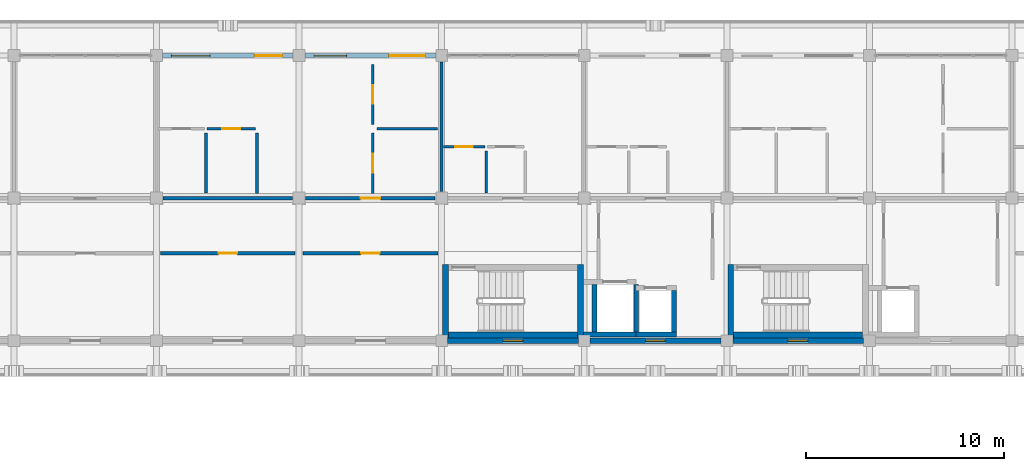
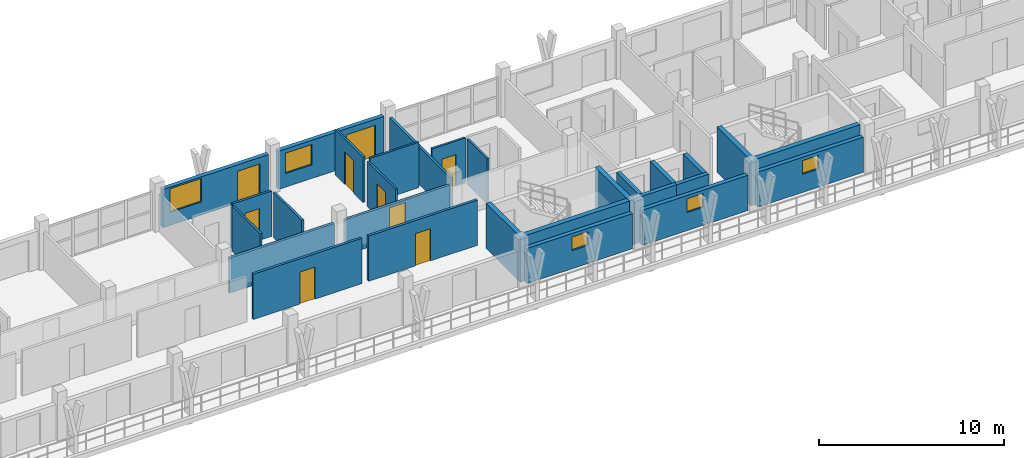
# One storey, part 39 of 67: 28 walls, 9 doors, 5 windows, 14 openings.
"""IFC4 building model written with IfcOpenShell, lengths in metres."""

from ifc_helpers import new_model, si_unit, direction, frame, frame_2d, origin, place, context, subcontext, project, spatial, rectangle, extrude, material, layer, layer_set, type_object, element, fill, save


model = new_model("IFC4")

# Units and contexts
model_context = context("Model", 3, precision=1e-05, world=origin(), true_north=direction((0.0, 1.0)))
body_context = subcontext(model_context, "Body", "Model", "MODEL_VIEW")
ifc_project = project(units=[si_unit("LENGTHUNIT", "METRE"), si_unit("AREAUNIT", "SQUARE_METRE"), si_unit("VOLUMEUNIT", "CUBIC_METRE"), si_unit("PLANEANGLEUNIT", "RADIAN"), si_unit("MASSUNIT", "GRAM", prefix="KILO")], contexts=[model_context])

# Site, building, storey
site_placement = place(None, origin())
site = spatial("IfcSite", under=ifc_project, at=site_placement, CompositionType="ELEMENT")
building_placement = place(site_placement, origin())
building = spatial("IfcBuilding", under=site, at=building_placement, Name="Suanplinth Sawtooth Commons", CompositionType="ELEMENT")
storey_placement = place(building_placement, frame((0.0, 0.0, 25.10009765625)))
storey = spatial("IfcBuildingStorey", under=building, at=storey_placement, Name="L07", CompositionType="ELEMENT", Elevation=25.10009765625)

# Walls
ifc_material_1 = material(Name="Concrete C40/50", Category="concrete")
ifc_layer_1 = layer(ifc_material_1, 0.300048828125, Name="Standard RC stair and lift core wall 300mm")
ifc_layer_set_1 = layer_set([ifc_layer_1], Name="Concrete C40/50")
wall_type_1 = type_object("IfcWallType", Name="W-CR02", PredefinedType="SHEAR", material=ifc_layer_set_1)
wall_1_placement = place(storey_placement, frame((43.550048828125, 108.300048828125, 0.0), z_axis=(0.0, 0.0, 1.0), x_axis=(1.0, 0.0, 0.0)))
element("IfcWall", 1, at=wall_1_placement, inside=storey, type_object=wall_type_1, Name="W-L07-C-A1-STS", PredefinedType="SHEAR", context=body_context, shape_type="SweptSolid", body=[
    extrude(rectangle(XDim=6.5, YDim=0.300048828125, at=frame_2d((3.25, 0.0))), origin(), (0.0, 0.0, 1.0), 2.989990234375),
])
for number, where, z_axis, x_axis, name in (
    (2, (43.39990234375, 108.14990234375, 0.0), (0.0, 0.0, 1.0), (0.0, 1.0, 0.0), "W-L07-C-A1-STW"),
    (3, (50.199951171875, 108.14990234375, 0.0), (0.0, 0.0, 1.0), (0.0, 1.0, 0.0), "W-L07-C-A1-STE"),
):
    element("IfcWall", number, at=place(storey_placement, frame(where, z_axis=z_axis, x_axis=x_axis)), inside=storey, type_object=wall_type_1, Name=name, PredefinedType="SHEAR", context=body_context, shape_type="SweptSolid", body=[
        extrude(rectangle(XDim=3.7001953125, YDim=0.300048828125, at=frame_2d((1.85009765625, 0.0))), origin(), (0.0, 0.0, 1.0), 2.989990234375),
    ])
wall_2_placement = place(storey_placement, frame((57.949951171875, 108.300048828125, 0.0), z_axis=(0.0, 0.0, 1.0), x_axis=(1.0, 0.0, 0.0)))
element("IfcWall", 4, at=wall_2_placement, inside=storey, type_object=wall_type_1, Name="W-L07-C-A2-STS", PredefinedType="SHEAR", context=body_context, shape_type="SweptSolid", body=[
    extrude(rectangle(XDim=6.5, YDim=0.300048828125, at=frame_2d((3.25, 0.0))), origin(), (0.0, 0.0, 1.0), 2.989990234375),
])
wall_3_placement = place(storey_placement, frame((57.800048828125, 108.14990234375, 0.0), z_axis=(0.0, 0.0, 1.0), x_axis=(0.0, 1.0, 0.0)))
element("IfcWall", 5, at=wall_3_placement, inside=storey, type_object=wall_type_1, Name="W-L07-C-A2-STW", PredefinedType="SHEAR", context=body_context, shape_type="SweptSolid", body=[
    extrude(rectangle(XDim=3.7001953125, YDim=0.300048828125, at=frame_2d((1.85009765625, 0.0))), origin(), (0.0, 0.0, 1.0), 2.989990234375),
])

# Wall, openings, door, window
ifc_material_2 = material(Name="Precast concrete C40/50", Category="concrete")
ifc_layer_2 = layer(ifc_material_2, 0.260009765625, Name="Insulated precast courtyard facade wall 260mm")
ifc_layer_set_2 = layer_set([ifc_layer_2], Name="Precast concrete C40/50")
wall_type_2 = type_object("IfcWallType", Name="W-EX02", PredefinedType="ELEMENTEDWALL", material=ifc_layer_set_2)
wall_4_placement = place(storey_placement, frame((29.10009765625, 122.39990234375, 0.0), z_axis=(0.0, 0.0, 1.0), x_axis=(1.0, 0.0, 0.0)))
wall_4 = element("IfcWall", 6, at=wall_4_placement, inside=storey, type_object=wall_type_2, Name="Facade Wall W-L07-A-N-3", PredefinedType="ELEMENTEDWALL", context=body_context, shape_type="SweptSolid", body=[
    extrude(rectangle(XDim=6.599853515625, YDim=0.260009765625, at=frame_2d((3.2998046875, 0.0))), origin(), (0.0, 0.0, 1.0), 2.52490234375),
])
opening_1_placement = place(wall_4_placement, frame((4.64990234375, 0.0, 0.0)))
opening_1 = element("IfcOpeningElement", 7, at=opening_1_placement, cuts=wall_4, Name="Opening ED0556", PredefinedType="OPENING", context=body_context, shape_type="SweptSolid", body=[
    extrude(rectangle(XDim=1.39990234375, YDim=2.10009765625, at=frame_2d((0.699951171875, 1.050048828125))), frame((0.0, 0.14501953125, 0.0), z_axis=(0.0, -1.0, 0.0), x_axis=(1.0, 0.0, 0.0)), (0.0, 0.0, 1.0), 0.289794921875),
])
opening_2_placement = place(wall_4_placement, frame((0.449951171875, 0.0, 0.864990234375)))
opening_2 = element("IfcOpeningElement", 8, at=opening_2_placement, cuts=wall_4, Name="Opening W0639", PredefinedType="OPENING", context=body_context, shape_type="SweptSolid", body=[
    extrude(rectangle(XDim=1.949951171875, YDim=1.550048828125, at=frame_2d((0.97509765625, 0.77490234375))), frame((0.0, 0.14501953125, 0.0), z_axis=(0.0, -1.0, 0.0), x_axis=(1.0, 0.0, 0.0)), (0.0, 0.0, 1.0), 0.289794921875),
])
ifc_material_3 = material(Name="Anodized aluminium and low-E glass", Category="aluminium")
door_type_1 = type_object("IfcDoorType", Name="SD-07", OperationType="SLIDING_TO_RIGHT", PredefinedType="DOOR", material=ifc_material_3)
door_1_placement = place(opening_1_placement, frame((1.39990234375, 0.0, 0.0), z_axis=(0.0, 0.0, 1.0), x_axis=(-1.0, 0.0, 0.0)))
door_1 = element("IfcDoor", 9, at=door_1_placement, inside=storey, type_object=door_type_1, Name="Balcony Sliding Door L07-A-N-3", OperationType="SLIDING_TO_RIGHT", OverallHeight=2.10009765625, OverallWidth=1.39990234375, PredefinedType="DOOR", context=body_context, shape_type="SweptSolid", body=[
    extrude(rectangle(XDim=1.39990234375, YDim=2.10009765625, at=frame_2d((0.699951171875, 1.050048828125))), frame((0.0, 0.02490234375, 0.0), z_axis=(0.0, -1.0, 0.0), x_axis=(1.0, 0.0, 0.0)), (0.0, 0.0, 1.0), 0.050048828125),
])
fill(opening_1, door_1)
ifc_material_4 = material(Name="Thermally broken aluminium and low-E double glazing", Category="aluminium")
window_type_1 = type_object("IfcWindowType", Name="WN-18", PartitioningType="DOUBLE_PANEL_VERTICAL", PredefinedType="WINDOW", material=ifc_material_4)
window_1_placement = place(opening_2_placement, origin())
window_1 = element("IfcWindow", 10, at=window_1_placement, inside=storey, type_object=window_type_1, Name="Window L07-A-N-3", OverallHeight=1.550048828125, OverallWidth=1.949951171875, PartitioningType="DOUBLE_PANEL_VERTICAL", PredefinedType="WINDOW", context=body_context, shape_type="SweptSolid", body=[
    extrude(rectangle(XDim=1.949951171875, YDim=1.550048828125, at=frame_2d((0.97509765625, 0.77490234375))), frame((0.0, 0.030029296875, 0.0), z_axis=(0.0, -1.0, 0.0), x_axis=(1.0, 0.0, 0.0)), (0.0, 0.0, 1.0), 0.06005859375),
])
fill(opening_2, window_1)

wall_5_placement = place(storey_placement, frame((36.300048828125, 122.39990234375, 0.0), z_axis=(0.0, 0.0, 1.0), x_axis=(1.0, 0.0, 0.0)))
wall_5 = element("IfcWall", 11, at=wall_5_placement, inside=storey, type_object=wall_type_2, Name="Facade Wall W-L07-A-N-4", PredefinedType="ELEMENTEDWALL", context=body_context, shape_type="SweptSolid", body=[
    extrude(rectangle(XDim=6.599853515625, YDim=0.260009765625, at=frame_2d((3.2998046875, 0.0))), origin(), (0.0, 0.0, 1.0), 2.52490234375),
])
opening_3_placement = place(wall_5_placement, frame((4.25, 0.0, 0.0)))
opening_3 = element("IfcOpeningElement", 12, at=opening_3_placement, cuts=wall_5, Name="Opening ED0558", PredefinedType="OPENING", context=body_context, shape_type="SweptSolid", body=[
    extrude(rectangle(XDim=1.800048828125, YDim=2.1201171875, at=frame_2d((0.89990234375, 1.06005859375))), frame((0.0, 0.14501953125, 0.0), z_axis=(0.0, -1.0, 0.0), x_axis=(1.0, 0.0, 0.0)), (0.0, 0.0, 1.0), 0.289794921875),
])
opening_4_placement = place(wall_5_placement, frame((0.449951171875, 0.0, 0.89990234375)))
opening_4 = element("IfcOpeningElement", 13, at=opening_4_placement, cuts=wall_5, Name="Opening W0640", PredefinedType="OPENING", context=body_context, shape_type="SweptSolid", body=[
    extrude(rectangle(XDim=1.64990234375, YDim=1.35009765625, at=frame_2d((0.824951171875, 0.675048828125))), frame((0.0, 0.14501953125, 0.0), z_axis=(0.0, -1.0, 0.0), x_axis=(1.0, 0.0, 0.0)), (0.0, 0.0, 1.0), 0.289794921875),
])
door_type_2 = type_object("IfcDoorType", Name="SD-01", OperationType="SLIDING_TO_LEFT", PredefinedType="DOOR", material=ifc_material_3)
door_2_placement = place(opening_3_placement, frame((1.800048828125, 0.0, 0.0), z_axis=(0.0, 0.0, 1.0), x_axis=(-1.0, 0.0, 0.0)))
door_2 = element("IfcDoor", 14, at=door_2_placement, inside=storey, type_object=door_type_2, Name="Balcony Sliding Door L07-A-N-4", OperationType="SLIDING_TO_LEFT", OverallHeight=2.1201171875, OverallWidth=1.800048828125, PredefinedType="DOOR", context=body_context, shape_type="SweptSolid", body=[
    extrude(rectangle(XDim=1.800048828125, YDim=2.1201171875, at=frame_2d((0.89990234375, 1.06005859375))), frame((0.0, 0.02490234375, 0.0), z_axis=(0.0, -1.0, 0.0), x_axis=(1.0, 0.0, 0.0)), (0.0, 0.0, 1.0), 0.050048828125),
])
fill(opening_3, door_2)
window_type_2 = type_object("IfcWindowType", Name="WN-19", PartitioningType="DOUBLE_PANEL_VERTICAL", PredefinedType="WINDOW", material=ifc_material_4)
window_2_placement = place(opening_4_placement, origin())
window_2 = element("IfcWindow", 15, at=window_2_placement, inside=storey, type_object=window_type_2, Name="Window L07-A-N-4", OverallHeight=1.35009765625, OverallWidth=1.64990234375, PartitioningType="DOUBLE_PANEL_VERTICAL", PredefinedType="WINDOW", context=body_context, shape_type="SweptSolid", body=[
    extrude(rectangle(XDim=1.64990234375, YDim=1.35009765625, at=frame_2d((0.824951171875, 0.675048828125))), frame((0.0, 0.030029296875, 0.0), z_axis=(0.0, -1.0, 0.0), x_axis=(1.0, 0.0, 0.0)), (0.0, 0.0, 1.0), 0.06005859375),
])
fill(opening_4, window_2)

# Wall, opening, window
wall_6_placement = place(storey_placement, frame((43.5, 108.0, 0.0), z_axis=(0.0, 0.0, 1.0), x_axis=(1.0, 0.0, 0.0)))
wall_6 = element("IfcWall", 16, at=wall_6_placement, inside=storey, type_object=wall_type_2, Name="Courtyard Wall W-L07-A-S-5", PredefinedType="ELEMENTEDWALL", context=body_context, shape_type="SweptSolid", body=[
    extrude(rectangle(XDim=6.60009765625, YDim=0.260009765625, at=frame_2d((3.300048828125, 0.0))), origin(), (0.0, 0.0, 1.0), 2.324951171875),
])
opening_5_placement = place(wall_6_placement, frame((2.800048828125, 0.0, 1.199951171875)))
opening_5 = element("IfcOpeningElement", 17, at=opening_5_placement, cuts=wall_6, Name="Opening W0641", PredefinedType="OPENING", context=body_context, shape_type="SweptSolid", body=[
    extrude(rectangle(XDim=1.0, YDim=0.89990234375, at=frame_2d((0.5, 0.449951171875))), frame((0.0, 0.14501953125, 0.0), z_axis=(0.0, -1.0, 0.0), x_axis=(1.0, 0.0, 0.0)), (0.0, 0.0, 1.0), 0.289794921875),
])
window_type_3 = type_object("IfcWindowType", Name="WN-12", PartitioningType="SINGLE_PANEL", PredefinedType="WINDOW", material=ifc_material_4)
window_3_placement = place(opening_5_placement, origin())
window_3 = element("IfcWindow", 18, at=window_3_placement, inside=storey, type_object=window_type_3, Name="Core Daylight Window L07-A-5", OverallHeight=0.89990234375, OverallWidth=1.0, PartitioningType="SINGLE_PANEL", PredefinedType="WINDOW", context=body_context, shape_type="SweptSolid", body=[
    extrude(rectangle(XDim=1.0, YDim=0.89990234375, at=frame_2d((0.5, 0.449951171875))), frame((0.0, 0.030029296875, 0.0), z_axis=(0.0, -1.0, 0.0), x_axis=(1.0, 0.0, 0.0)), (0.0, 0.0, 1.0), 0.06005859375),
])
fill(opening_5, window_3)

wall_7_placement = place(storey_placement, frame((50.699951171875, 108.0, 0.0), z_axis=(0.0, 0.0, 1.0), x_axis=(1.0, 0.0, 0.0)))
wall_7 = element("IfcWall", 19, at=wall_7_placement, inside=storey, type_object=wall_type_2, Name="Courtyard Wall W-L07-A-S-6", PredefinedType="ELEMENTEDWALL", context=body_context, shape_type="SweptSolid", body=[
    extrude(rectangle(XDim=6.60009765625, YDim=0.260009765625, at=frame_2d((3.300048828125, 0.0))), origin(), (0.0, 0.0, 1.0), 2.324951171875),
])
opening_6_placement = place(wall_7_placement, frame((2.800048828125, 0.0, 1.199951171875)))
opening_6 = element("IfcOpeningElement", 20, at=opening_6_placement, cuts=wall_7, Name="Opening W0643", PredefinedType="OPENING", context=body_context, shape_type="SweptSolid", body=[
    extrude(rectangle(XDim=1.0, YDim=0.89990234375, at=frame_2d((0.5, 0.449951171875))), frame((0.0, 0.14501953125, 0.0), z_axis=(0.0, -1.0, 0.0), x_axis=(1.0, 0.0, 0.0)), (0.0, 0.0, 1.0), 0.289794921875),
])
window_4_placement = place(opening_6_placement, origin())
window_4 = element("IfcWindow", 21, at=window_4_placement, inside=storey, type_object=window_type_3, Name="Core Daylight Window L07-A-6", OverallHeight=0.89990234375, OverallWidth=1.0, PartitioningType="SINGLE_PANEL", PredefinedType="WINDOW", context=body_context, shape_type="SweptSolid", body=[
    extrude(rectangle(XDim=1.0, YDim=0.89990234375, at=frame_2d((0.5, 0.449951171875))), frame((0.0, 0.030029296875, 0.0), z_axis=(0.0, -1.0, 0.0), x_axis=(1.0, 0.0, 0.0)), (0.0, 0.0, 1.0), 0.06005859375),
])
fill(opening_6, window_4)

wall_8_placement = place(storey_placement, frame((57.89990234375, 108.0, 0.0), z_axis=(0.0, 0.0, 1.0), x_axis=(1.0, 0.0, 0.0)))
wall_8 = element("IfcWall", 22, at=wall_8_placement, inside=storey, type_object=wall_type_2, Name="Courtyard Wall W-L07-A-S-7", PredefinedType="ELEMENTEDWALL", context=body_context, shape_type="SweptSolid", body=[
    extrude(rectangle(XDim=6.60009765625, YDim=0.260009765625, at=frame_2d((3.300048828125, 0.0))), origin(), (0.0, 0.0, 1.0), 2.324951171875),
])
opening_7_placement = place(wall_8_placement, frame((2.800048828125, 0.0, 1.199951171875)))
opening_7 = element("IfcOpeningElement", 23, at=opening_7_placement, cuts=wall_8, Name="Opening W0645", PredefinedType="OPENING", context=body_context, shape_type="SweptSolid", body=[
    extrude(rectangle(XDim=1.0, YDim=0.89990234375, at=frame_2d((0.5, 0.449951171875))), frame((0.0, 0.14501953125, 0.0), z_axis=(0.0, -1.0, 0.0), x_axis=(1.0, 0.0, 0.0)), (0.0, 0.0, 1.0), 0.289794921875),
])
window_5_placement = place(opening_7_placement, origin())
window_5 = element("IfcWindow", 24, at=window_5_placement, inside=storey, type_object=window_type_3, Name="Core Daylight Window L07-A-7", OverallHeight=0.89990234375, OverallWidth=1.0, PartitioningType="SINGLE_PANEL", PredefinedType="WINDOW", context=body_context, shape_type="SweptSolid", body=[
    extrude(rectangle(XDim=1.0, YDim=0.89990234375, at=frame_2d((0.5, 0.449951171875))), frame((0.0, 0.030029296875, 0.0), z_axis=(0.0, -1.0, 0.0), x_axis=(1.0, 0.0, 0.0)), (0.0, 0.0, 1.0), 0.06005859375),
])
fill(opening_7, window_5)

# Wall
ifc_layer_3 = layer(ifc_material_2, 0.159912109375, Name="Fire-rated corridor and lobby wall 160mm")
ifc_layer_set_3 = layer_set([ifc_layer_3], Name="Precast concrete C40/50")
wall_type_3 = type_object("IfcWallType", Name="W-FW01", PredefinedType="PARTITIONING", material=ifc_layer_set_3)
wall_9_placement = place(storey_placement, frame((29.1298828125, 115.199951171875, 0.0), z_axis=(0.0, 0.0, 1.0), x_axis=(1.0, 0.0, 0.0)))
element("IfcWall", 25, at=wall_9_placement, inside=storey, type_object=wall_type_3, Name="W-A-L07-U03-COR-S1", PredefinedType="PARTITIONING", context=body_context, shape_type="SweptSolid", body=[
    extrude(rectangle(XDim=6.5400390625, YDim=0.159912109375, at=frame_2d((3.27001953125, 0.0))), origin(), (0.0, 0.0, 1.0), 2.324951171875),
])

# Wall, opening, door
wall_10_placement = place(storey_placement, frame((36.330078125, 115.199951171875, 0.0), z_axis=(0.0, 0.0, 1.0), x_axis=(1.0, 0.0, 0.0)))
wall_10 = element("IfcWall", 26, at=wall_10_placement, inside=storey, type_object=wall_type_3, Name="W-A-L07-U03-COR-S2", PredefinedType="PARTITIONING", context=body_context, shape_type="SweptSolid", body=[
    extrude(rectangle(XDim=6.5400390625, YDim=0.159912109375, at=frame_2d((3.27001953125, 0.0))), origin(), (0.0, 0.0, 1.0), 2.324951171875),
])
opening_8_placement = place(wall_10_placement, frame((2.77001953125, 0.0, 0.0)))
opening_8 = element("IfcOpeningElement", 27, at=opening_8_placement, cuts=wall_10, Name="Opening FD1505", PredefinedType="OPENING", context=body_context, shape_type="SweptSolid", body=[
    extrude(rectangle(XDim=1.0, YDim=2.14990234375, at=frame_2d((0.5, 1.074951171875))), frame((0.0, 0.0947265625, 0.0), z_axis=(0.0, -1.0, 0.0), x_axis=(1.0, 0.0, 0.0)), (0.0, 0.0, 1.0), 0.189697265625),
])
ifc_material_5 = material(Name="Teak hardwood fire-rated door assembly", Category="wood")
door_type_3 = type_object("IfcDoorType", Name="FD-03", OperationType="NOTDEFINED", PredefinedType="DOOR", material=ifc_material_5)
door_3_placement = place(opening_8_placement, origin())
door_3 = element("IfcDoor", 28, at=door_3_placement, inside=storey, type_object=door_type_3, Name="Unit Entrance Door FD1505", OperationType="SINGLE_SWING_LEFT", OverallHeight=2.14990234375, OverallWidth=1.0, PredefinedType="DOOR", context=body_context, shape_type="SweptSolid", body=[
    extrude(rectangle(XDim=1.0, YDim=2.14990234375, at=frame_2d((0.5, 1.074951171875))), frame((0.0, 0.02490234375, 0.0), z_axis=(0.0, -1.0, 0.0), x_axis=(1.0, 0.0, 0.0)), (0.0, 0.0, 1.0), 0.050048828125),
])
fill(opening_8, door_3)

wall_11_placement = place(storey_placement, frame((29.0, 112.419921875, 0.0), z_axis=(0.0, 0.0, 1.0), x_axis=(1.0, 0.0, 0.0)))
wall_11 = element("IfcWall", 29, at=wall_11_placement, inside=storey, type_object=wall_type_3, Name="W-A-L07-COURTROOM-13-COR", PredefinedType="PARTITIONING", context=body_context, shape_type="SweptSolid", body=[
    extrude(rectangle(XDim=6.800048828125, YDim=0.159912109375, at=frame_2d((3.39990234375, 0.0))), origin(), (0.0, 0.0, 1.0), 2.989990234375),
])
opening_9_placement = place(wall_11_placement, frame((2.929931640625, 0.0, 0.0)))
opening_9 = element("IfcOpeningElement", 30, at=opening_9_placement, cuts=wall_11, Name="Opening D1536", PredefinedType="OPENING", context=body_context, shape_type="SweptSolid", body=[
    extrude(rectangle(XDim=0.93994140625, YDim=2.1201171875, at=frame_2d((0.469970703125, 1.06005859375))), frame((0.0, 0.0947265625, 0.0), z_axis=(0.0, -1.0, 0.0), x_axis=(1.0, 0.0, 0.0)), (0.0, 0.0, 1.0), 0.189697265625),
])
ifc_material_6 = material(Name="Teak hardwood", Category="wood")
door_type_4 = type_object("IfcDoorType", Name="D-15", OperationType="NOTDEFINED", PredefinedType="DOOR", material=ifc_material_6)
door_4_placement = place(opening_9_placement, frame((0.93994140625, 0.0, 0.0), z_axis=(0.0, 0.0, 1.0), x_axis=(-1.0, 0.0, 0.0)))
door_4 = element("IfcDoor", 31, at=door_4_placement, inside=storey, type_object=door_type_4, Name="Study Studio Door D1536", OperationType="SINGLE_SWING_RIGHT", OverallHeight=2.1201171875, OverallWidth=0.93994140625, PredefinedType="DOOR", context=body_context, shape_type="SweptSolid", body=[
    extrude(rectangle(XDim=0.93994140625, YDim=2.1201171875, at=frame_2d((0.469970703125, 1.06005859375))), frame((0.0, 0.02490234375, 0.0), z_axis=(0.0, -1.0, 0.0), x_axis=(1.0, 0.0, 0.0)), (0.0, 0.0, 1.0), 0.050048828125),
])
fill(opening_9, door_4)

wall_12_placement = place(storey_placement, frame((36.199951171875, 112.419921875, 0.0), z_axis=(0.0, 0.0, 1.0), x_axis=(1.0, 0.0, 0.0)))
wall_12 = element("IfcWall", 32, at=wall_12_placement, inside=storey, type_object=wall_type_3, Name="W-A-L07-COURTROOM-14-COR", PredefinedType="PARTITIONING", context=body_context, shape_type="SweptSolid", body=[
    extrude(rectangle(XDim=6.800048828125, YDim=0.159912109375, at=frame_2d((3.39990234375, 0.0))), origin(), (0.0, 0.0, 1.0), 2.989990234375),
])
opening_10_placement = place(wall_12_placement, frame((2.929931640625, 0.0, 0.0)))
opening_10 = element("IfcOpeningElement", 33, at=opening_10_placement, cuts=wall_12, Name="Opening D1537", PredefinedType="OPENING", context=body_context, shape_type="SweptSolid", body=[
    extrude(rectangle(XDim=0.93994140625, YDim=2.1201171875, at=frame_2d((0.469970703125, 1.06005859375))), frame((0.0, 0.0947265625, 0.0), z_axis=(0.0, -1.0, 0.0), x_axis=(1.0, 0.0, 0.0)), (0.0, 0.0, 1.0), 0.189697265625),
])
door_5_placement = place(opening_10_placement, frame((0.93994140625, 0.0, 0.0), z_axis=(0.0, 0.0, 1.0), x_axis=(-1.0, 0.0, 0.0)))
door_5 = element("IfcDoor", 34, at=door_5_placement, inside=storey, type_object=door_type_4, Name="Study Studio Door D1537", OperationType="SINGLE_SWING_LEFT", OverallHeight=2.1201171875, OverallWidth=0.93994140625, PredefinedType="DOOR", context=body_context, shape_type="SweptSolid", body=[
    extrude(rectangle(XDim=0.93994140625, YDim=2.1201171875, at=frame_2d((0.469970703125, 1.06005859375))), frame((0.0, 0.02490234375, 0.0), z_axis=(0.0, -1.0, 0.0), x_axis=(1.0, 0.0, 0.0)), (0.0, 0.0, 1.0), 0.050048828125),
])
fill(opening_10, door_5)

# Wall
ifc_layer_4 = layer(ifc_material_2, 0.14990234375, Name="Acoustic precast party demising wall 150mm")
ifc_layer_set_4 = layer_set([ifc_layer_4], Name="Precast concrete C40/50")
wall_type_4 = type_object("IfcWallType", Name="W-FW02", PredefinedType="PARTITIONING", material=ifc_layer_set_4)
wall_13_placement = place(storey_placement, frame((43.199951171875, 115.530029296875, 0.0), z_axis=(0.0, 0.0, 1.0), x_axis=(0.0, 1.0, 0.0)))
element("IfcWall", 35, at=wall_13_placement, inside=storey, type_object=wall_type_4, Name="W-A-L07-U03-PTY", PredefinedType="PARTITIONING", context=body_context, shape_type="SweptSolid", body=[
    extrude(rectangle(XDim=6.5400390625, YDim=0.14990234375, at=frame_2d((3.27001953125, 0.0))), origin(), (0.0, 0.0, 1.0), 2.474853515625),
])

# Wall, opening, door
ifc_material_7 = material(Name="Gypsum plasterboard on steel stud", Category="steel")
ifc_layer_5 = layer(ifc_material_7, 0.139892578125, Name="Fire-rated kitchen partition 140mm")
ifc_layer_set_5 = layer_set([ifc_layer_5], Name="Gypsum plasterboard on steel stud")
wall_type_5 = type_object("IfcWallType", Name="W-PT01", PredefinedType="PARTITIONING", material=ifc_layer_set_5)
wall_14_placement = place(storey_placement, frame((31.35009765625, 118.7099609375, 0.0), z_axis=(0.0, 0.0, 1.0), x_axis=(1.0, 0.0, 0.0)))
wall_14 = element("IfcWall", 36, at=wall_14_placement, inside=storey, type_object=wall_type_5, Name="W-A-L07-U03-KIT1", PredefinedType="PARTITIONING", context=body_context, shape_type="SweptSolid", body=[
    extrude(rectangle(XDim=2.449951171875, YDim=0.139892578125, at=frame_2d((1.22509765625, 0.0))), origin(), (0.0, 0.0, 1.0), 2.989990234375),
])
opening_11_placement = place(wall_14_placement, frame((0.764892578125, 0.0, 0.0)))
opening_11 = element("IfcOpeningElement", 37, at=opening_11_placement, cuts=wall_14, Name="Opening D1507", PredefinedType="OPENING", context=body_context, shape_type="SweptSolid", body=[
    extrude(rectangle(XDim=0.919921875, YDim=2.10009765625, at=frame_2d((0.4599609375, 1.050048828125))), frame((0.0, 0.0849609375, 0.0), z_axis=(0.0, -1.0, 0.0), x_axis=(1.0, 0.0, 0.0)), (0.0, 0.0, 1.0), 0.169677734375),
])
door_type_5 = type_object("IfcDoorType", Name="D-02", OperationType="NOTDEFINED", PredefinedType="DOOR", material=ifc_material_6)
door_6_placement = place(opening_11_placement, frame((0.919921875, 0.0, 0.0), z_axis=(0.0, 0.0, 1.0), x_axis=(-1.0, 0.0, 0.0)))
door_6 = element("IfcDoor", 38, at=door_6_placement, inside=storey, type_object=door_type_5, Name="Kitchen Door D1507", OperationType="SINGLE_SWING_LEFT", OverallHeight=2.10009765625, OverallWidth=0.919921875, PredefinedType="DOOR", context=body_context, shape_type="SweptSolid", body=[
    extrude(rectangle(XDim=0.919921875, YDim=2.10009765625, at=frame_2d((0.4599609375, 1.050048828125))), frame((0.0, 0.02490234375, 0.0), z_axis=(0.0, -1.0, 0.0), x_axis=(1.0, 0.0, 0.0)), (0.0, 0.0, 1.0), 0.050048828125),
])
fill(opening_11, door_6)

# Walls
wall_15_placement = place(storey_placement, frame((33.8701171875, 115.429931640625, 0.0), z_axis=(0.0, 0.0, 1.0), x_axis=(0.0, 1.0, 0.0)))
element("IfcWall", 39, at=wall_15_placement, inside=storey, type_object=wall_type_5, Name="W-A-L07-U03-KIT2", PredefinedType="PARTITIONING", context=body_context, shape_type="SweptSolid", body=[
    extrude(rectangle(XDim=3.06005859375, YDim=0.139892578125, at=frame_2d((1.530029296875, 0.0))), origin(), (0.0, 0.0, 1.0), 2.989990234375),
])
ifc_layer_6 = layer(ifc_material_7, 0.1298828125, Name="Moisture-resistant bathroom partition 130mm")
ifc_layer_set_6 = layer_set([ifc_layer_6], Name="Gypsum plasterboard on steel stud")
wall_type_6 = type_object("IfcWallType", Name="W-PT02", PredefinedType="PARTITIONING", material=ifc_layer_set_6)
wall_16_placement = place(storey_placement, frame((31.294921875, 115.4599609375, 0.0), z_axis=(0.0, 0.0, 1.0), x_axis=(0.0, 1.0, 0.0)))
element("IfcWall", 40, at=wall_16_placement, inside=storey, type_object=wall_type_6, Name="W-A-L07-U03-BTH2", PredefinedType="PARTITIONING", context=body_context, shape_type="SweptSolid", body=[
    extrude(rectangle(XDim=3.0400390625, YDim=0.1298828125, at=frame_2d((1.52001953125, 0.0))), origin(), (0.0, 0.0, 1.0), 2.989990234375),
])

# Wall, opening, door
wall_17_placement = place(storey_placement, frame((43.280029296875, 117.794921875, 0.0), z_axis=(0.0, 0.0, 1.0), x_axis=(1.0, 0.0, 0.0)))
wall_17 = element("IfcWall", 41, at=wall_17_placement, inside=storey, type_object=wall_type_6, Name="W-A-L07-U04-BTH1", PredefinedType="PARTITIONING", context=body_context, shape_type="SweptSolid", body=[
    extrude(rectangle(XDim=2.099853515625, YDim=0.1298828125, at=frame_2d((1.0498046875, 0.0))), origin(), (0.0, 0.0, 1.0), 2.989990234375),
])
opening_12_placement = place(wall_17_placement, frame((0.610107421875, 0.0, 0.0)))
opening_12 = element("IfcOpeningElement", 42, at=opening_12_placement, cuts=wall_17, Name="Opening D1511", PredefinedType="OPENING", context=body_context, shape_type="SweptSolid", body=[
    extrude(rectangle(XDim=0.8798828125, YDim=2.10009765625, at=frame_2d((0.43994140625, 1.050048828125))), frame((0.0, 0.079833984375, 0.0), z_axis=(0.0, -1.0, 0.0), x_axis=(1.0, 0.0, 0.0)), (0.0, 0.0, 1.0), 0.15966796875),
])
door_type_6 = type_object("IfcDoorType", Name="D-14", OperationType="NOTDEFINED", PredefinedType="DOOR", material=ifc_material_6)
door_7_placement = place(opening_12_placement, frame((0.8798828125, 0.0, 0.0), z_axis=(0.0, 0.0, 1.0), x_axis=(-1.0, 0.0, 0.0)))
door_7 = element("IfcDoor", 43, at=door_7_placement, inside=storey, type_object=door_type_6, Name="Bathroom Door D1511", OperationType="SINGLE_SWING_LEFT", OverallHeight=2.10009765625, OverallWidth=0.8798828125, PredefinedType="DOOR", context=body_context, shape_type="SweptSolid", body=[
    extrude(rectangle(XDim=0.8798828125, YDim=2.10009765625, at=frame_2d((0.43994140625, 1.050048828125))), frame((0.0, 0.02490234375, 0.0), z_axis=(0.0, -1.0, 0.0), x_axis=(1.0, 0.0, 0.0)), (0.0, 0.0, 1.0), 0.050048828125),
])
fill(opening_12, door_7)

# Wall
wall_18_placement = place(storey_placement, frame((45.445068359375, 115.4599609375, 0.0), z_axis=(0.0, 0.0, 1.0), x_axis=(0.0, 1.0, 0.0)))
element("IfcWall", 44, at=wall_18_placement, inside=storey, type_object=wall_type_6, Name="W-A-L07-U04-BTH2", PredefinedType="PARTITIONING", context=body_context, shape_type="SweptSolid", body=[
    extrude(rectangle(XDim=2.130126953125, YDim=0.1298828125, at=frame_2d((1.06494140625, 0.0))), origin(), (0.0, 0.0, 1.0), 2.989990234375),
])

# Wall, opening, door
ifc_layer_7 = layer(ifc_material_7, 0.1201171875, Name="Acoustic bedroom partition 120mm")
ifc_layer_set_7 = layer_set([ifc_layer_7], Name="Gypsum plasterboard on steel stud")
wall_type_7 = type_object("IfcWallType", Name="W-PT03", PredefinedType="PARTITIONING", material=ifc_layer_set_7)
wall_19_placement = place(storey_placement, frame((39.719970703125, 115.43994140625, 0.0), z_axis=(0.0, 0.0, 1.0), x_axis=(0.0, 1.0, 0.0)))
wall_19 = element("IfcWall", 45, at=wall_19_placement, inside=storey, type_object=wall_type_7, Name="W-A-L07-U03-BED2", PredefinedType="PARTITIONING", context=body_context, shape_type="SweptSolid", body=[
    extrude(rectangle(XDim=3.0400390625, YDim=0.1201171875, at=frame_2d((1.52001953125, 0.0))), origin(), (0.0, 0.0, 1.0), 2.989990234375),
])
opening_13_placement = place(wall_19_placement, frame((1.0400390625, 0.0, 0.0)))
opening_13 = element("IfcOpeningElement", 46, at=opening_13_placement, cuts=wall_19, Name="Opening D1509", PredefinedType="OPENING", context=body_context, shape_type="SweptSolid", body=[
    extrude(rectangle(XDim=0.9599609375, YDim=2.14990234375, at=frame_2d((0.47998046875, 1.074951171875))), frame((0.0, 0.074951171875, 0.0), z_axis=(0.0, -1.0, 0.0), x_axis=(1.0, 0.0, 0.0)), (0.0, 0.0, 1.0), 0.14990234375),
])
door_type_7 = type_object("IfcDoorType", Name="D-13", OperationType="NOTDEFINED", PredefinedType="DOOR", material=ifc_material_6)
door_8_placement = place(opening_13_placement, frame((0.9599609375, 0.0, 0.0), z_axis=(0.0, 0.0, 1.0), x_axis=(-1.0, 0.0, 0.0)))
door_8 = element("IfcDoor", 47, at=door_8_placement, inside=storey, type_object=door_type_7, Name="Second Bedroom Door D1509", OperationType="SINGLE_SWING_LEFT", OverallHeight=2.14990234375, OverallWidth=0.9599609375, PredefinedType="DOOR", context=body_context, shape_type="SweptSolid", body=[
    extrude(rectangle(XDim=0.9599609375, YDim=2.14990234375, at=frame_2d((0.47998046875, 1.074951171875))), frame((0.0, 0.02490234375, 0.0), z_axis=(0.0, -1.0, 0.0), x_axis=(1.0, 0.0, 0.0)), (0.0, 0.0, 1.0), 0.050048828125),
])
fill(opening_13, door_8)

# Wall
ifc_layer_8 = layer(ifc_material_7, 0.125, Name="Acoustic study partition 125mm")
ifc_layer_set_8 = layer_set([ifc_layer_8], Name="Gypsum plasterboard on steel stud")
wall_type_8 = type_object("IfcWallType", Name="W-PT06", PredefinedType="PARTITIONING", material=ifc_layer_set_8)
wall_20_placement = place(storey_placement, frame((39.919921875, 118.699951171875, 0.0), z_axis=(0.0, 0.0, 1.0), x_axis=(1.0, 0.0, 0.0)))
element("IfcWall", 48, at=wall_20_placement, inside=storey, type_object=wall_type_8, Name="W-A-L07-U03-BEDDIV", PredefinedType="PARTITIONING", context=body_context, shape_type="SweptSolid", body=[
    extrude(rectangle(XDim=3.06005859375, YDim=0.125, at=frame_2d((1.530029296875, 0.0))), origin(), (0.0, 0.0, 1.0), 2.989990234375),
])

# Wall, opening, door
ifc_layer_9 = layer(ifc_material_7, 0.135009765625, Name="Insulated bedroom demising partition 135mm")
ifc_layer_set_9 = layer_set([ifc_layer_9], Name="Gypsum plasterboard on steel stud")
wall_type_9 = type_object("IfcWallType", Name="W-PT07", PredefinedType="PARTITIONING", material=ifc_layer_set_9)
wall_21_placement = place(storey_placement, frame((39.719970703125, 118.919921875, 0.0), z_axis=(0.0, 0.0, 1.0), x_axis=(0.0, 1.0, 0.0)))
wall_21 = element("IfcWall", 49, at=wall_21_placement, inside=storey, type_object=wall_type_9, Name="W-A-L07-U03-BED1", PredefinedType="PARTITIONING", context=body_context, shape_type="SweptSolid", body=[
    extrude(rectangle(XDim=3.0400390625, YDim=0.135009765625, at=frame_2d((1.52001953125, 0.0))), origin(), (0.0, 0.0, 1.0), 2.989990234375),
])
opening_14_placement = place(wall_21_placement, frame((1.044921875, 0.0, 0.0)))
opening_14 = element("IfcOpeningElement", 50, at=opening_14_placement, cuts=wall_21, Name="Opening D1508", PredefinedType="OPENING", context=body_context, shape_type="SweptSolid", body=[
    extrude(rectangle(XDim=0.949951171875, YDim=2.14990234375, at=frame_2d((0.47509765625, 1.074951171875))), frame((0.0, 0.08251953125, 0.0), z_axis=(0.0, -1.0, 0.0), x_axis=(1.0, 0.0, 0.0)), (0.0, 0.0, 1.0), 0.164794921875),
])
door_type_8 = type_object("IfcDoorType", Name="D-03", OperationType="NOTDEFINED", PredefinedType="DOOR", material=ifc_material_6)
door_9_placement = place(opening_14_placement, frame((0.949951171875, 0.0, 0.0), z_axis=(0.0, 0.0, 1.0), x_axis=(-1.0, 0.0, 0.0)))
door_9 = element("IfcDoor", 51, at=door_9_placement, inside=storey, type_object=door_type_8, Name="Bedroom Door D1508", OperationType="SINGLE_SWING_RIGHT", OverallHeight=2.14990234375, OverallWidth=0.949951171875, PredefinedType="DOOR", context=body_context, shape_type="SweptSolid", body=[
    extrude(rectangle(XDim=0.949951171875, YDim=2.14990234375, at=frame_2d((0.47509765625, 1.074951171875))), frame((0.0, 0.02490234375, 0.0), z_axis=(0.0, -1.0, 0.0), x_axis=(1.0, 0.0, 0.0)), (0.0, 0.0, 1.0), 0.050048828125),
])
fill(opening_14, door_9)

# Walls
ifc_layer_10 = layer(ifc_material_2, 0.25, Name="Precast structural shear wall 250mm")
ifc_layer_set_10 = layer_set([ifc_layer_10], Name="Precast concrete C40/50")
wall_type_10 = type_object("IfcWallType", Name="W-SH01", PredefinedType="SHEAR", material=ifc_layer_set_10)
wall_22_placement = place(storey_placement, frame((50.35009765625, 108.324951171875, 0.0), z_axis=(0.0, 0.0, 1.0), x_axis=(1.0, 0.0, 0.0)))
element("IfcWall", 52, at=wall_22_placement, inside=storey, type_object=wall_type_10, Name="W-L07-FL1-S", PredefinedType="SHEAR", context=body_context, shape_type="SweptSolid", body=[
    extrude(rectangle(XDim=2.6748046875, YDim=0.25, at=frame_2d((1.33740234375, 0.0))), origin(), (0.0, 0.0, 1.0), 2.989990234375),
])
for number, where, z_axis, x_axis, name in (
    (53, (50.925048828125, 108.449951171875, 0.0), (0.0, 0.0, 1.0), (0.0, 1.0, 0.0), "W-L07-FL1-W"),
    (54, (53.02490234375, 108.449951171875, 0.0), (0.0, 0.0, 1.0), (0.0, 1.0, 0.0), "W-L07-FL1-DIV"),
):
    element("IfcWall", number, at=place(storey_placement, frame(where, z_axis=z_axis, x_axis=x_axis)), inside=storey, type_object=wall_type_10, Name=name, PredefinedType="SHEAR", context=body_context, shape_type="SweptSolid", body=[
        extrude(rectangle(XDim=2.400146484375, YDim=0.25, at=frame_2d((1.2001953125, 0.0))), origin(), (0.0, 0.0, 1.0), 2.989990234375),
    ])
wall_23_placement = place(storey_placement, frame((53.02490234375, 108.324951171875, 0.0), z_axis=(0.0, 0.0, 1.0), x_axis=(1.0, 0.0, 0.0)))
element("IfcWall", 55, at=wall_23_placement, inside=storey, type_object=wall_type_10, Name="W-L07-LF1-S", PredefinedType="SHEAR", context=body_context, shape_type="SweptSolid", body=[
    extrude(rectangle(XDim=2.025146484375, YDim=0.25, at=frame_2d((1.0126953125, 0.0))), origin(), (0.0, 0.0, 1.0), 2.989990234375),
])
wall_24_placement = place(storey_placement, frame((54.925048828125, 108.449951171875, 0.0), z_axis=(0.0, 0.0, 1.0), x_axis=(0.0, 1.0, 0.0)))
element("IfcWall", 56, at=wall_24_placement, inside=storey, type_object=wall_type_10, Name="W-L07-LF1-E", PredefinedType="SHEAR", context=body_context, shape_type="SweptSolid", body=[
    extrude(rectangle(XDim=2.10009765625, YDim=0.25, at=frame_2d((1.050048828125, 0.0))), origin(), (0.0, 0.0, 1.0), 2.989990234375),
])

save(model, "model.ifc")
